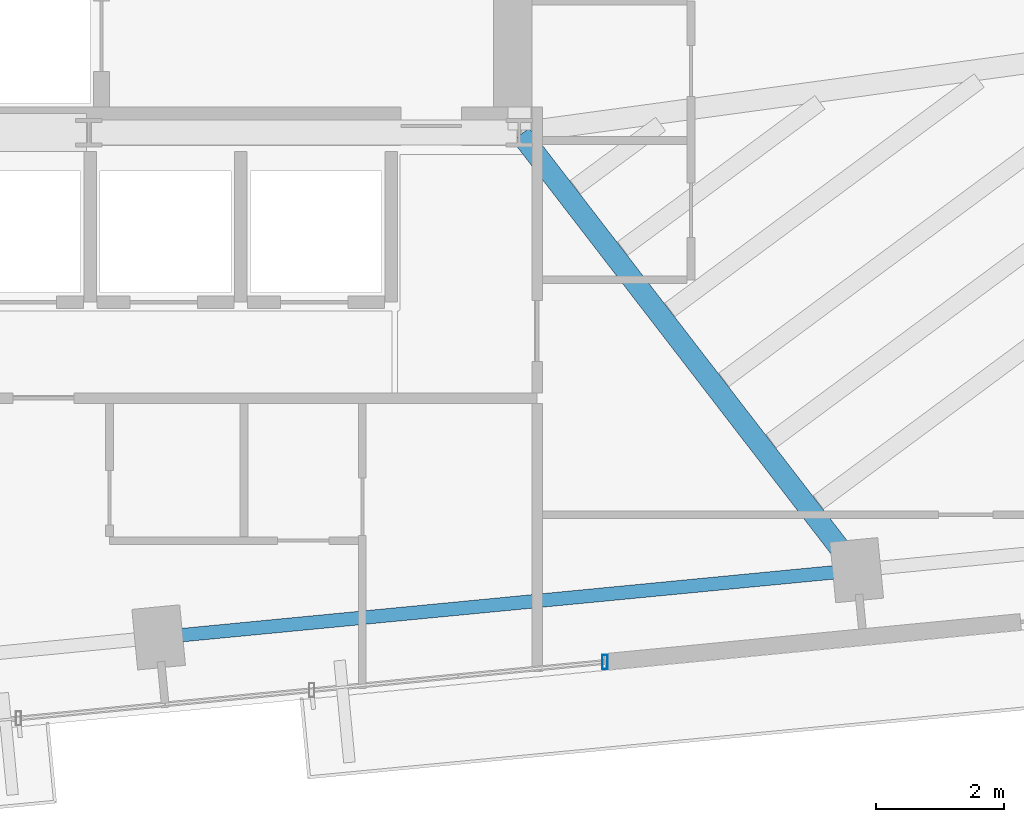
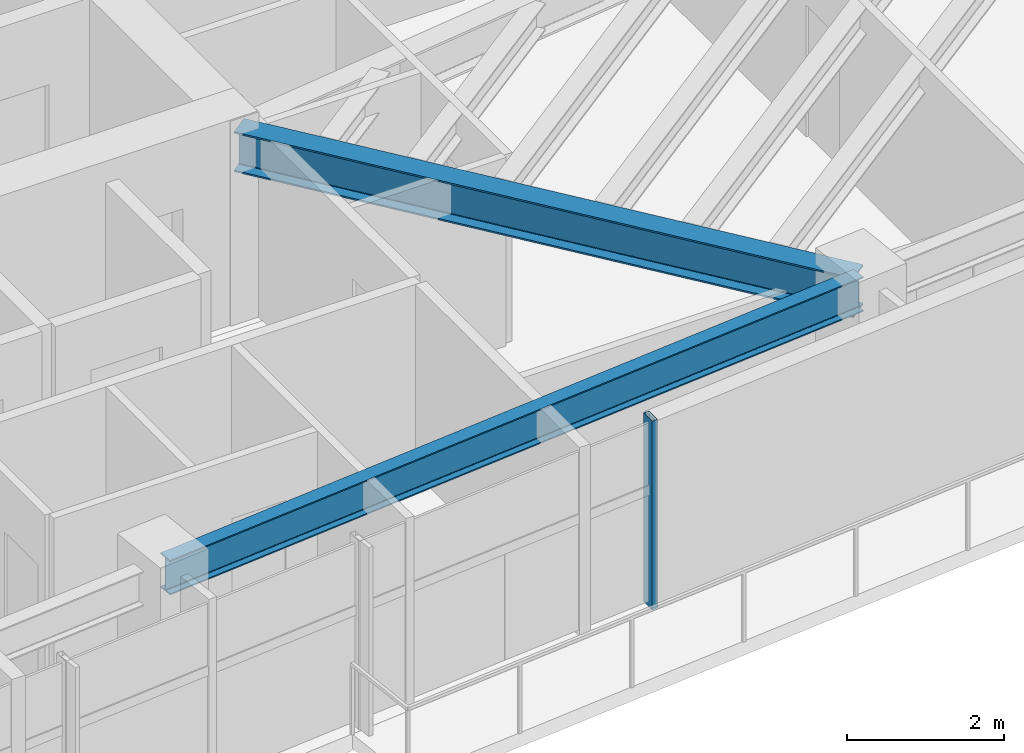
# One storey, part 8 of 18: 2 beams, 1 member, 1 element without a shape of its own.
"""IFC4 building model written with IfcOpenShell, lengths in metres."""

import ifcopenshell
import ifcopenshell.guid

model = None  # the IFC model being written
_history = None  # IfcOwnerHistory: only IFC2X3 demands one
_inside = {}  # id of a spatial element -> (the spatial element, [elements in it])
_under = {}  # id of a project, library or spatial element -> (it, [spatial elements below it])
_declared = {}  # id of a project -> (the project, [libraries it declares])
_typed = {}  # id of a type object -> (the type object, [elements of that type])
_made_of = {}  # id of a material, layer set ... -> (it, [elements and type objects made of it])


def new_model(schema):
    """Start an empty IFC model of exactly this schema.

    Asked for "IFC4X3", IfcOpenShell would pick the latest addendum, in which some entities
    have other attributes; the version numbers below select the first issue.
    IFC2X3 requires an IfcOwnerHistory on every rooted entity: one is made here for all.
    """
    global model, _history
    if schema == "IFC4X3":
        model = ifcopenshell.file(schema_version=(4, 3, 0, 0))
    else:
        model = ifcopenshell.file(schema=schema)
    _inside.clear()
    _under.clear()
    _declared.clear()
    _typed.clear()
    _made_of.clear()
    _history = None
    if model.schema == "IFC2X3":
        org = make("IfcOrganization", Name="unknown")
        user = make(
            "IfcPersonAndOrganization",
            ThePerson=make("IfcPerson", FamilyName="unknown"),
            TheOrganization=org,
        )
        app = make(
            "IfcApplication",
            ApplicationDeveloper=org,
            Version="unknown",
            ApplicationFullName="unknown",
            ApplicationIdentifier="unknown",
        )
        _history = make(
            "IfcOwnerHistory",
            OwningUser=user,
            OwningApplication=app,
            ChangeAction="ADDED",
            CreationDate=0,
        )
    return model


def make(cls, **values):
    """One entity of the class cls with the attributes given. An attribute that is None is left unset."""
    return model.create_entity(
        cls, **{name: value for name, value in values.items() if value is not None}
    )


def rooted(cls, **values):
    """An entity with a GlobalId (a new one), such as an element, a storey or a relation."""
    return make(cls, GlobalId=ifcopenshell.guid.new(), OwnerHistory=_history, **values)


def si_unit(unit_type, name, prefix=None):
    """IfcSIUnit, for example si_unit("LENGTHUNIT", "METRE", prefix="MILLI")."""
    return make("IfcSIUnit", UnitType=unit_type, Prefix=prefix, Name=name)


def assignment(units):
    """IfcUnitAssignment: the units of a project."""
    return None if units is None else make("IfcUnitAssignment", Units=units)


def point(xyz):
    """IfcCartesianPoint."""
    return None if xyz is None else make("IfcCartesianPoint", Coordinates=xyz)


def direction(xyz):
    """IfcDirection."""
    return None if xyz is None else make("IfcDirection", DirectionRatios=xyz)


def frame(location, z_axis=None, x_axis=None):
    """IfcAxis2Placement3D, a coordinate frame: its origin and axes. An axis left out is left unset."""
    return make(
        "IfcAxis2Placement3D",
        Location=point(location),
        Axis=direction(z_axis),
        RefDirection=direction(x_axis),
    )


def frame_2d(location, x_axis=None):
    """IfcAxis2Placement2D, a coordinate frame in the plane: its origin and x axis."""
    return make(
        "IfcAxis2Placement2D", Location=point(location), RefDirection=direction(x_axis)
    )


def origin():
    """The frame at (0, 0, 0) with its axes left unset."""
    return frame((0.0, 0.0, 0.0))


def origin_2d():
    """The frame at (0, 0) in the plane with its x axis left unset."""
    return frame_2d((0.0, 0.0))


def place(relative_to, where):
    """IfcLocalPlacement: puts the frame where relative to a parent placement (None: the world)."""
    return make(
        "IfcLocalPlacement", PlacementRelTo=relative_to, RelativePlacement=where
    )


def context(
    kind, dimensions, precision=None, world=None, true_north=None, identifier=None
):
    """IfcGeometricRepresentationContext, for example the 3D "Model" context."""
    return make(
        "IfcGeometricRepresentationContext",
        ContextIdentifier=identifier,
        ContextType=kind,
        CoordinateSpaceDimension=dimensions,
        Precision=precision,
        WorldCoordinateSystem=world,
        TrueNorth=true_north,
    )


def subcontext(parent, identifier, kind, view, scale=None):
    """IfcGeometricRepresentationSubContext, for example "Body" below "Model"."""
    return make(
        "IfcGeometricRepresentationSubContext",
        ContextIdentifier=identifier,
        ContextType=kind,
        ParentContext=parent,
        TargetScale=scale,
        TargetView=view,
    )


def project(units=None, contexts=None):
    """IfcProject with its units and contexts."""
    return rooted(
        "IfcProject",
        Name="project",
        RepresentationContexts=contexts,
        UnitsInContext=assignment(units),
    )


def spatial(cls, under=None, at=None, **own):
    """A site, building, storey or space (cls), placed at a placement, below another one or the project."""
    s = rooted(cls, ObjectPlacement=at, **own)
    if under is not None:
        _under.setdefault(under.id(), (under, []))[1].append(s)
    return s


def profile(cls, at=None, kind="AREA", **sizes):
    """A parametric profile (cls). Its sizes go by their IFC names, for example OverallWidth=200.0."""
    return make(cls, ProfileType=kind, Position=at, **sizes)


def hollow_rectangle(**sizes):
    """IfcRectangleHollowProfileDef."""
    return profile("IfcRectangleHollowProfileDef", **sizes)


def i_section(**sizes):
    """IfcIShapeProfileDef."""
    return profile("IfcIShapeProfileDef", **sizes)


def extrude(swept, where, along, depth):
    """IfcExtrudedAreaSolid: the profile swept, set in the frame where, extruded along a direction by depth."""
    return make(
        "IfcExtrudedAreaSolid",
        SweptArea=swept,
        Position=where,
        ExtrudedDirection=direction(along),
        Depth=depth,
    )


def shape(context_of_items, identifier, shape_type, items):
    """IfcShapeRepresentation: the items that make up one representation, for example the "Body"."""
    return make(
        "IfcShapeRepresentation",
        ContextOfItems=context_of_items,
        RepresentationIdentifier=identifier,
        RepresentationType=shape_type,
        Items=items,
    )


def source(mapping_origin, context_of_items, identifier, shape_type, items):
    """IfcRepresentationMap: a shape defined once, which mapped items show again and again."""
    return make(
        "IfcRepresentationMap",
        MappingOrigin=mapping_origin,
        MappedRepresentation=shape(context_of_items, identifier, shape_type, items),
    )


def transform(
    local_origin,
    x_axis=None,
    y_axis=None,
    z_axis=None,
    scale=None,
    scale2=None,
    scale3=None,
    uniform=True,
):
    """IfcCartesianTransformationOperator3D, or its non-uniform kind. x_axis, y_axis, z_axis: its Axis1, 2, 3."""
    if uniform:
        return make(
            "IfcCartesianTransformationOperator3D",
            Axis1=direction(x_axis),
            Axis2=direction(y_axis),
            LocalOrigin=point(local_origin),
            Scale=scale,
            Axis3=direction(z_axis),
        )
    return make(
        "IfcCartesianTransformationOperator3DnonUniform",
        Axis1=direction(x_axis),
        Axis2=direction(y_axis),
        LocalOrigin=point(local_origin),
        Scale=scale,
        Axis3=direction(z_axis),
        Scale2=scale2,
        Scale3=scale3,
    )


def mapped(mapping_source, mapping_target):
    """IfcMappedItem: shows the shape of a source again, moved by a transform."""
    return make(
        "IfcMappedItem", MappingSource=mapping_source, MappingTarget=mapping_target
    )


def material(Name=None, Category=None):
    """IfcMaterial."""
    return make("IfcMaterial", Name=Name, Category=Category)


def material_profile(
    of_material, cross_section, Name=None, Category=None, Priority=None
):
    """IfcMaterialProfile: a cross section and its material."""
    return make(
        "IfcMaterialProfile",
        Name=Name,
        Material=of_material,
        Profile=cross_section,
        Priority=Priority,
        Category=Category,
    )


def profile_set(profiles, Name=None, composite=None):
    """IfcMaterialProfileSet."""
    return make(
        "IfcMaterialProfileSet",
        Name=Name,
        MaterialProfiles=profiles,
        CompositeProfile=composite,
    )


def made_of(thing, what):
    """Note that an element or type object is made of a material, layer set ...; save() writes the relation."""
    if what is not None:
        _made_of.setdefault(what.id(), (what, []))[1].append(thing)
    return thing


def type_object(cls, material=None, **own):
    """A type object (cls), such as IfcWallType, which elements share."""
    return made_of(rooted(cls, **own), material)


def type_shapes(of_type, sources):
    """Give a type object the sources (RepresentationMaps) that its elements show as mapped items."""
    of_type.RepresentationMaps = sources


def element(
    cls,
    number,
    at=None,
    inside=None,
    cuts=None,
    type_object=None,
    material=None,
    context=None,
    identifier="Body",
    shape_type=None,
    held_by="IfcProductDefinitionShape",
    body=None,
    shapes=None,
    **own,
):
    """One element of the class cls, such as IfcWall. Its Tag is "e" and its number.

    at: its placement. inside: the storey or other place that contains it. cuts: it is an
    opening in that element (IfcRelVoidsElement). A single representation is given by context,
    identifier, shape_type and body (its items); several are given by shapes. held_by: the class
    of the entity that holds the representations. save() writes the other relations.
    """
    e = rooted(cls, Tag="e%d" % number, ObjectPlacement=at, **own)
    if body is not None:
        shapes = [shape(context, identifier, shape_type, body)]
    if shapes is not None:
        e.Representation = make(held_by, Representations=shapes)
    if inside is not None:
        _inside.setdefault(inside.id(), (inside, []))[1].append(e)
    if cuts is not None:
        rooted(
            "IfcRelVoidsElement", RelatingBuildingElement=cuts, RelatedOpeningElement=e
        )
    if type_object is not None:
        _typed.setdefault(type_object.id(), (type_object, []))[1].append(e)
    return made_of(e, material)


def aggregate(whole, parts):
    """IfcRelAggregates: a whole, such as a stair, and the parts it consists of."""
    return rooted("IfcRelAggregates", RelatingObject=whole, RelatedObjects=parts)


def save(model, path):
    """Write the relations noted so far, then the file.

    IfcRelAggregates (storeys below a building ...), IfcRelContainedInSpatialStructure (elements
    in a storey), IfcRelDefinesByType, IfcRelAssociatesMaterial and IfcRelDeclares: one each for
    every whole, place, type object, material and project.
    """
    for whole, parts in _under.values():
        aggregate(whole, parts)
    for where, things in _inside.values():
        rooted(
            "IfcRelContainedInSpatialStructure",
            RelatedElements=things,
            RelatingStructure=where,
        )
    for kind, things in _typed.values():
        rooted("IfcRelDefinesByType", RelatedObjects=things, RelatingType=kind)
    for what, things in _made_of.values():
        rooted("IfcRelAssociatesMaterial", RelatedObjects=things, RelatingMaterial=what)
    for by, libraries in _declared.values():
        rooted("IfcRelDeclares", RelatingContext=by, RelatedDefinitions=libraries)
    model.write(path)


model = new_model("IFC4")

# Units and contexts
model_context = context("Model", 3, precision=1e-05, world=origin(), true_north=direction((0.0, 1.0)))
body_context = subcontext(model_context, "Body", "Model", "MODEL_VIEW")
ifc_project = project(units=[si_unit("LENGTHUNIT", "METRE"), si_unit("AREAUNIT", "SQUARE_METRE"), si_unit("VOLUMEUNIT", "CUBIC_METRE"), si_unit("PLANEANGLEUNIT", "RADIAN"), si_unit("MASSUNIT", "GRAM", prefix="KILO")], contexts=[model_context])

# Site, building, storey
site_placement = place(None, origin())
site = spatial("IfcSite", under=ifc_project, at=site_placement, CompositionType="ELEMENT")
building_placement = place(site_placement, origin())
building = spatial("IfcBuilding", under=site, at=building_placement, Name="Astriad Promenade Condominiums", CompositionType="ELEMENT")
storey_placement = place(building_placement, frame((0.0, 0.0, 182.60009765625)))
storey = spatial("IfcBuildingStorey", under=building, at=storey_placement, Name="L52", CompositionType="ELEMENT", Elevation=182.60009765625)

# Beams
ifc_material_1 = material(Name="Steel ASTM A992 Grade 50", Category="steel")
ifc_material_profile_1 = material_profile(ifc_material_1, i_section(OverallWidth=0.210693359375, OverallDepth=0.53955078125, WebThickness=0.01171875, FlangeThickness=0.018798828125, FilletRadius=0.0166015625, at=origin_2d()), Name="W21X73")
ifc_profile_set_1 = profile_set([ifc_material_profile_1], Name="Steel ASTM A992 Grade 50")
beam_type_1 = type_object("IfcBeamType", Name="STEEL SPANDREL BEAM W21X73", PredefinedType="SPANDREL", material=ifc_profile_set_1)
shared_shape_1 = source(origin(), body_context, "Body", "SweptSolid", [
    extrude(i_section(OverallWidth=0.210693359375, OverallDepth=0.53955078125, WebThickness=0.01171875, FlangeThickness=0.018798828125, FilletRadius=0.0166015625, at=origin_2d()), origin(), (0.0, 0.0, 1.0), 10.8701171875),
])
type_shapes(beam_type_1, [shared_shape_1])
beam_1_placement = place(storey_placement, frame((40.008544921875, 9.520751953125, 2.670166015625), z_axis=(0.995397128983, 0.095836087217, 0.0), x_axis=(-0.095836087217, 0.995397128983, 0.0)))
element("IfcBeam", 1, at=beam_1_placement, inside=storey, type_object=beam_type_1, Name="Perimeter Spandrel Beam SP-S3-L52", PredefinedType="SPANDREL", context=body_context, shape_type="MappedRepresentation", body=[
    mapped(shared_shape_1, transform((0.0, 0.0, 0.0), scale=1.0)),
])
ifc_material_profile_2 = material_profile(ifc_material_1, i_section(OverallWidth=0.326416015625, OverallDepth=0.621826171875, WebThickness=0.015380859375, FlangeThickness=0.0244140625, FilletRadius=0.017822265625, at=origin_2d()), Name="W24X131")
ifc_profile_set_2 = profile_set([ifc_material_profile_2], Name="Steel ASTM A992 Grade 50")
beam_type_2 = type_object("IfcBeamType", Name="STEEL FLOOR GIRDER W24X131", PredefinedType="BEAM", material=ifc_profile_set_2)
shared_shape_2 = source(origin(), body_context, "Body", "SweptSolid", [
    extrude(i_section(OverallWidth=0.326416015625, OverallDepth=0.621826171875, WebThickness=0.015380859375, FlangeThickness=0.0244140625, FilletRadius=0.017822265625, at=origin_2d()), origin(), (0.0, 0.0, 1.0), 8.548583984375),
])
type_shapes(beam_type_2, [shared_shape_2])
beam_2_placement = place(storey_placement, frame((50.843994140625, 10.59814453125, 2.62890625), z_axis=(-0.610561975536, 0.791968480452, 0.0), x_axis=(-0.791968480452, -0.610561975536, 0.0)))
element("IfcBeam", 2, at=beam_2_placement, inside=storey, type_object=beam_type_2, Name="Primary Floor Girder PG-E2-L52", PredefinedType="BEAM", context=body_context, shape_type="MappedRepresentation", body=[
    mapped(shared_shape_2, transform((0.0, 0.0, 0.0), scale=1.0)),
])

# Curtain wall, member
ifc_material_2 = material(Name="Anodised aluminium Black Dark Glass Unitised", Category="aluminium")
curtain_wall_type = type_object("IfcCurtainWallType", Name="CW-B34-DARK", PredefinedType="USERDEFINED", material=ifc_material_2)
curtain_wall_placement = place(storey_placement, origin())
curtain_wall = element("IfcCurtainWall", 3, at=curtain_wall_placement, inside=storey, type_object=curtain_wall_type, Name="CW-L52-S", ObjectType="UNITISED_CURTAIN_WALL", PredefinedType="USERDEFINED")
ifc_material_3 = material(Name="Anodised aluminium 6063-T6 Black", Category="aluminium")
ifc_material_profile_3 = material_profile(ifc_material_3, hollow_rectangle(XDim=0.0849609375, YDim=0.219970703125, WallThickness=0.0048828125, at=origin_2d()), Name="ALU-MUL-85X220")
ifc_profile_set_3 = profile_set([ifc_material_profile_3], Name="Anodised aluminium 6063-T6 Black")
member_type = type_object("IfcMemberType", Name="MUL-ALU-MUL-85X220", PredefinedType="MULLION", material=ifc_profile_set_3)
shared_shape_3 = source(origin(), body_context, "Body", "SweptSolid", [
    extrude(hollow_rectangle(XDim=0.0849609375, YDim=0.219970703125, WallThickness=0.0048828125, at=origin_2d()), origin(), (0.0, 0.0, 1.0), 2.93994140625),
])
type_shapes(member_type, [shared_shape_3])
member_placement = place(storey_placement, frame((46.9375, 9.133056640625, 0.0), z_axis=(0.0, 0.0, 1.0), x_axis=(1.0, 0.0, 0.0)))
member = element("IfcMember", 4, at=member_placement, type_object=member_type, Name="CW-L52-S-MUL-00", PredefinedType="MULLION", context=body_context, shape_type="MappedRepresentation", body=[
    mapped(shared_shape_3, transform((0.0, 0.0, 0.0), scale=1.0)),
])
aggregate(curtain_wall, [member])

save(model, "model.ifc")
